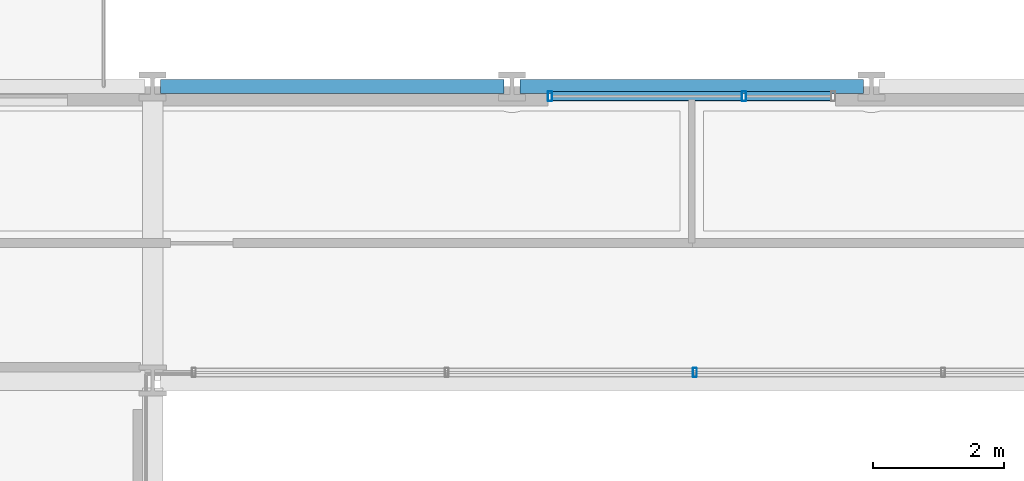
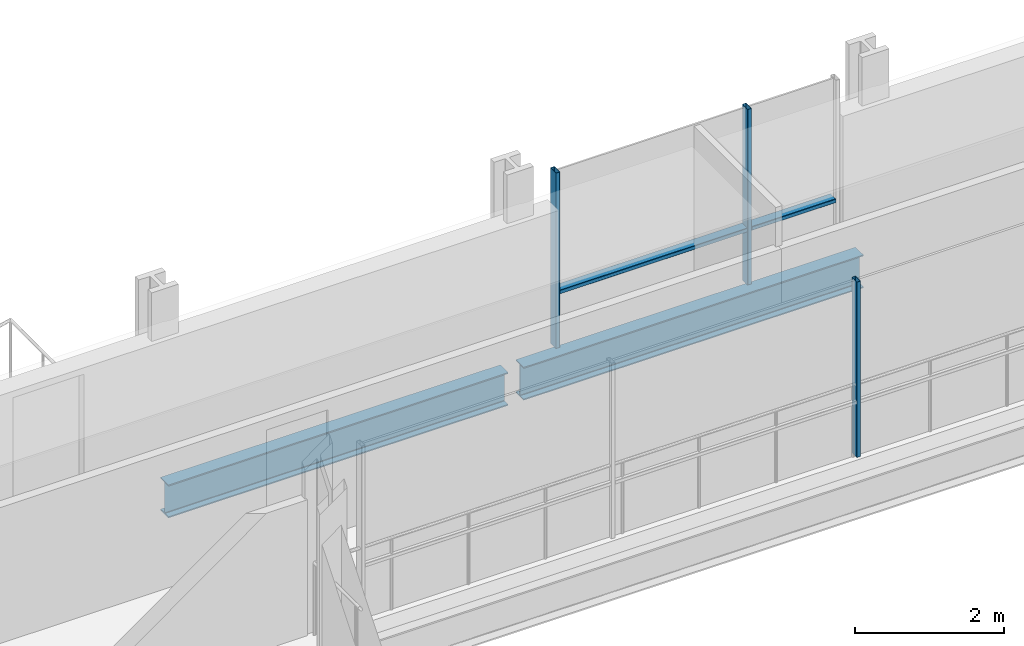
# One storey, part 11 of 38: 5 members, 2 beams, 2 elements without a shape of their own.
"""IFC4 building model written with IfcOpenShell, lengths in metres."""

from ifc_helpers import new_model, si_unit, direction, frame, origin, origin_2d, place, context, subcontext, project, spatial, hollow_rectangle, i_section, extrude, material, layer, layer_set, material_profile, profile_set, type_object, element, aggregate, save


model = new_model("IFC4")

# Units and contexts
model_context = context("Model", 3, precision=1e-05, world=origin(), true_north=direction((0.0, 1.0)))
body_context = subcontext(model_context, "Body", "Model", "MODEL_VIEW")
ifc_project = project(units=[si_unit("LENGTHUNIT", "METRE"), si_unit("AREAUNIT", "SQUARE_METRE"), si_unit("VOLUMEUNIT", "CUBIC_METRE"), si_unit("PLANEANGLEUNIT", "RADIAN"), si_unit("MASSUNIT", "GRAM", prefix="KILO")], contexts=[model_context])

# Site, building, storey
site_placement = place(None, origin())
site = spatial("IfcSite", under=ifc_project, at=site_placement, CompositionType="ELEMENT")
building_placement = place(site_placement, origin())
building = spatial("IfcBuilding", under=site, at=building_placement, Name="Brevholm Reach", CompositionType="ELEMENT")
storey_placement = place(building_placement, frame((0.0, 0.0, 46.60009765625)))
storey = spatial("IfcBuildingStorey", under=building, at=storey_placement, Name="L12", CompositionType="ELEMENT", Elevation=46.60009765625)

# Beams
ifc_material_1 = material(Name="Structural Steel S355J2", Category="steel")
ifc_material_profile_1 = material_profile(ifc_material_1, i_section(OverallWidth=0.210693359375, OverallDepth=0.53955078125, WebThickness=0.01171875, FlangeThickness=0.018798828125, FilletRadius=0.0126953125, at=origin_2d()), Name="UKB 533x210x109")
ifc_profile_set_1 = profile_set([ifc_material_profile_1], Name="Structural Steel S355J2")
beam_type = type_object("IfcBeamType", Name="BM-SP539", PredefinedType="SPANDREL", material=ifc_profile_set_1)
for number, where, z_axis, x_axis, name in (
    (1, (21.8701171875, 31.0, -0.499755859375), (1.0, 0.0, 0.0), (0.0, 1.0, 0.0), "L12 SP-01B Framing Beam"),
    (2, (27.3701171875, 31.0, -0.499755859375), (1.0, 0.0, 0.0), (0.0, 1.0, 0.0), "L12 SP-01B Framing Beam"),
):
    element("IfcBeam", number, at=place(storey_placement, frame(where, z_axis=z_axis, x_axis=x_axis)), inside=storey, type_object=beam_type, Name=name, PredefinedType="SPANDREL", context=body_context, shape_type="SweptSolid", body=[
        extrude(i_section(OverallWidth=0.210693359375, OverallDepth=0.53955078125, WebThickness=0.01171875, FlangeThickness=0.018798828125, FilletRadius=0.0126953125, at=origin_2d()), origin(), (0.0, 0.0, 1.0), 5.259765625),
    ])

# Curtain wall, member
ifc_material_2 = material(Name="Dark Anodised Aluminium 6063-T6 and Solar-Control Glass", Category="aluminium")
ifc_layer_1 = layer(ifc_material_2, 0.139892578125)
ifc_layer_set_1 = layer_set([ifc_layer_1], Name="Dark Anodised Aluminium 6063-T6 and Solar-Control Glass")
curtain_wall_type_1 = type_object("IfcCurtainWallType", Name="CW-02", PredefinedType="NOTDEFINED", material=ifc_layer_set_1)
curtain_wall_1_placement = place(storey_placement, origin())
curtain_wall_1 = element("IfcCurtainWall", 3, at=curtain_wall_1_placement, inside=storey, type_object=curtain_wall_type_1, Name="L12 Curtain Wall CW-02", PredefinedType="NOTDEFINED")
ifc_material_3 = material(Name="Dark Anodised Aluminium 6063-T6", Category="aluminium")
ifc_material_profile_2 = material_profile(ifc_material_3, hollow_rectangle(XDim=0.06005859375, YDim=0.139892578125, WallThickness=0.0048828125, InnerFilletRadius=0.0048828125, OuterFilletRadius=0.010009765625, at=origin_2d()), Name="RHS 140x60x5")
ifc_profile_set_2 = profile_set([ifc_material_profile_2], Name="Dark Anodised Aluminium 6063-T6")
member_type_1 = type_object("IfcMemberType", Name="CWM-140", PredefinedType="MULLION", material=ifc_profile_set_2)
member_1_placement = place(storey_placement, frame((30.050048828125, 26.6201171875, 0.0), z_axis=(0.0, 0.0, 1.0), x_axis=(-1.0, 0.0, 0.0)))
member_1 = element("IfcMember", 4, at=member_1_placement, type_object=member_type_1, Name="CM-140 Mullion 3", PredefinedType="MULLION", context=body_context, shape_type="SweptSolid", body=[
    extrude(hollow_rectangle(XDim=0.06005859375, YDim=0.139892578125, WallThickness=0.0048828125, InnerFilletRadius=0.0048828125, OuterFilletRadius=0.010009765625, at=origin_2d()), origin(), (0.0, 0.0, 1.0), 2.869873046875),
])
aggregate(curtain_wall_1, [member_1])

# Curtain wall, members
ifc_material_4 = material(Name="Dark Anodised Aluminium 6063-T6 and Solar-Control Glass", Category="aluminium")
ifc_layer_2 = layer(ifc_material_4, 0.14990234375)
ifc_layer_set_2 = layer_set([ifc_layer_2], Name="Dark Anodised Aluminium 6063-T6 and Solar-Control Glass")
curtain_wall_type_2 = type_object("IfcCurtainWallType", Name="CW-01", PredefinedType="NOTDEFINED", material=ifc_layer_set_2)
curtain_wall_2_placement = place(storey_placement, origin())
curtain_wall_2 = element("IfcCurtainWall", 5, at=curtain_wall_2_placement, inside=storey, type_object=curtain_wall_type_2, Name="L12 Curtain Wall CW-01", PredefinedType="NOTDEFINED")
ifc_material_5 = material(Name="Dark Anodised Aluminium 6063-T6", Category="aluminium")
ifc_material_profile_3 = material_profile(ifc_material_5, hollow_rectangle(XDim=0.06494140625, YDim=0.14990234375, WallThickness=0.0048828125, InnerFilletRadius=0.0048828125, OuterFilletRadius=0.010009765625, at=origin_2d()), Name="RHS 150x65x5")
ifc_profile_set_3 = profile_set([ifc_material_profile_3], Name="Dark Anodised Aluminium 6063-T6")
member_type_2 = type_object("IfcMemberType", Name="CWM-150", PredefinedType="MULLION", material=ifc_profile_set_3)
member_2_placement = place(storey_placement, frame((27.83251953125, 30.85009765625, 0.0), z_axis=(0.0, 0.0, 1.0), x_axis=(1.0, 0.0, 0.0)))
member_2 = element("IfcMember", 6, at=member_2_placement, type_object=member_type_2, Name="CM-150 Mullion 1", PredefinedType="MULLION", context=body_context, shape_type="SweptSolid", body=[
    extrude(hollow_rectangle(XDim=0.06494140625, YDim=0.14990234375, WallThickness=0.0048828125, InnerFilletRadius=0.0048828125, OuterFilletRadius=0.010009765625, at=origin_2d()), origin(), (0.0, 0.0, 1.0), 2.869873046875),
])
member_3_placement = place(storey_placement, frame((30.800048828125, 30.85009765625, 0.0), z_axis=(0.0, 0.0, 1.0), x_axis=(1.0, 0.0, 0.0)))
member_3 = element("IfcMember", 7, at=member_3_placement, type_object=member_type_2, Name="CM-150 Mullion 2", PredefinedType="MULLION", context=body_context, shape_type="SweptSolid", body=[
    extrude(hollow_rectangle(XDim=0.06494140625, YDim=0.14990234375, WallThickness=0.0048828125, InnerFilletRadius=0.0048828125, OuterFilletRadius=0.010009765625, at=origin_2d()), origin(), (0.0, 0.0, 1.0), 2.869873046875),
])
ifc_material_6 = material(Name="Dark Anodised Aluminium 6063-T6", Category="aluminium")
ifc_material_profile_4 = material_profile(ifc_material_6, hollow_rectangle(XDim=0.06494140625, YDim=0.14990234375, WallThickness=0.0048828125, InnerFilletRadius=0.0048828125, OuterFilletRadius=0.010009765625, at=origin_2d()), Name="RHS 150x65x5")
ifc_profile_set_4 = profile_set([ifc_material_profile_4], Name="Dark Anodised Aluminium 6063-T6")
member_type_3 = type_object("IfcMemberType", Name="CWT-150", PredefinedType="NOTDEFINED", material=ifc_profile_set_4)
member_4_placement = place(storey_placement, frame((27.864990234375, 30.85009765625, 0.89990234375), z_axis=(1.0, 0.0, 0.0), x_axis=(0.0, 0.0, 1.0)))
member_4 = element("IfcMember", 8, at=member_4_placement, type_object=member_type_3, Name="CT-150 Transom 1.1", ObjectType="TRANSOM", PredefinedType="USERDEFINED", context=body_context, shape_type="SweptSolid", body=[
    extrude(hollow_rectangle(XDim=0.06494140625, YDim=0.14990234375, WallThickness=0.0048828125, InnerFilletRadius=0.0048828125, OuterFilletRadius=0.010009765625, at=origin_2d()), origin(), (0.0, 0.0, 1.0), 2.902587890625),
])
member_5_placement = place(storey_placement, frame((30.83251953125, 30.85009765625, 0.89990234375), z_axis=(1.0, 0.0, 0.0), x_axis=(0.0, 0.0, 1.0)))
member_5 = element("IfcMember", 9, at=member_5_placement, type_object=member_type_3, Name="CT-150 Transom 2.1", ObjectType="TRANSOM", PredefinedType="USERDEFINED", context=body_context, shape_type="SweptSolid", body=[
    extrude(hollow_rectangle(XDim=0.06494140625, YDim=0.14990234375, WallThickness=0.0048828125, InnerFilletRadius=0.0048828125, OuterFilletRadius=0.010009765625, at=origin_2d()), origin(), (0.0, 0.0, 1.0), 1.302490234375),
])
aggregate(curtain_wall_2, [member_2, member_3, member_4, member_5])

save(model, "model.ifc")
